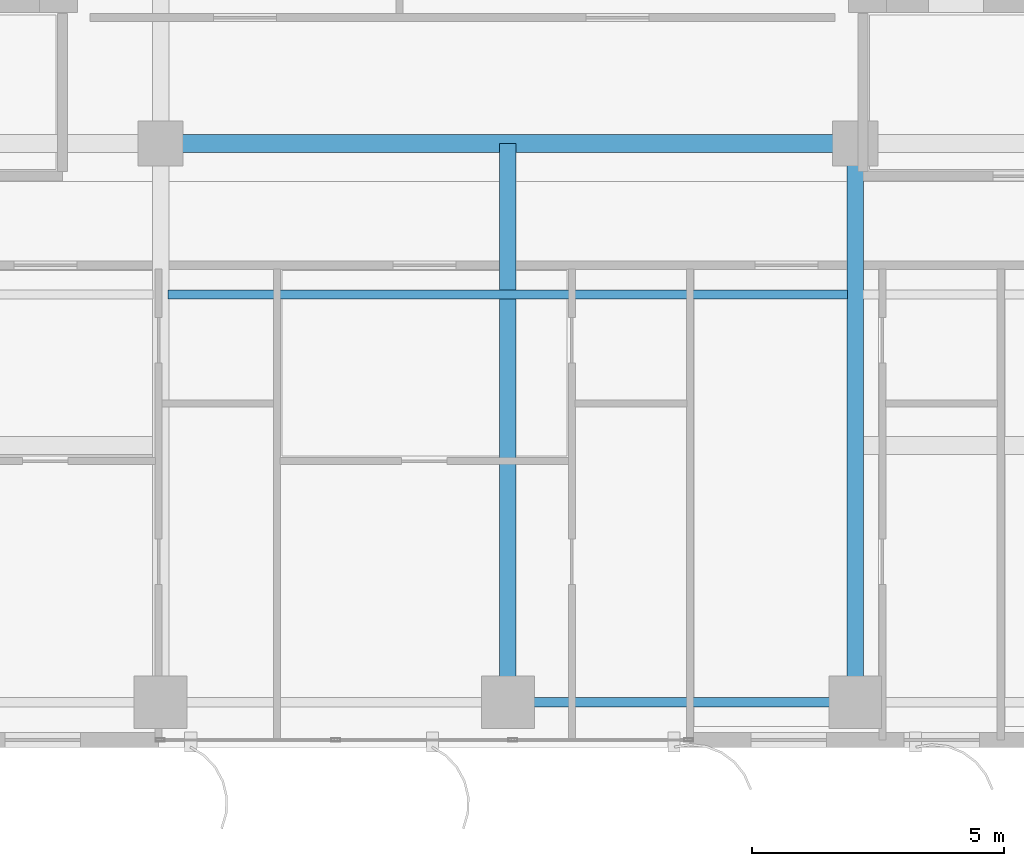
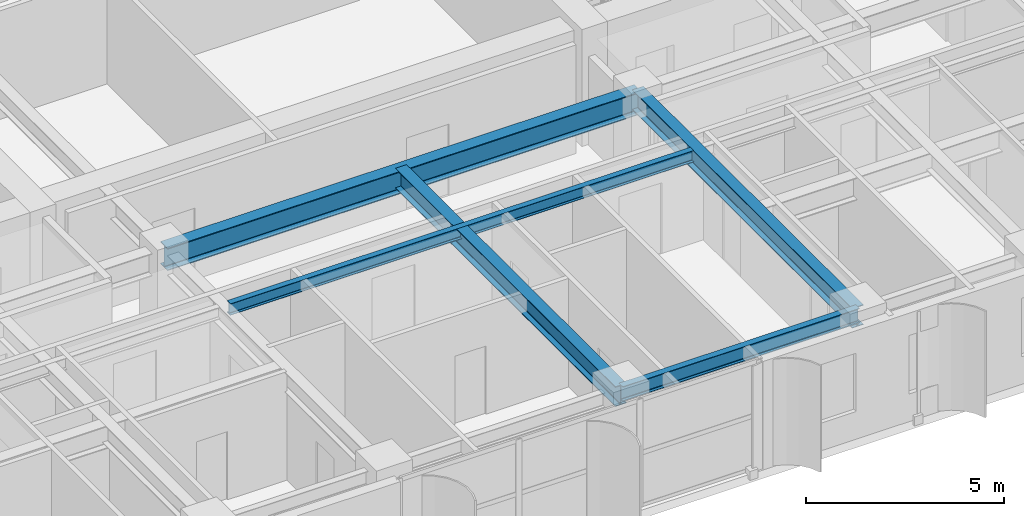
# One storey, part 3 of 22: 5 beams.
"""IFC4 building model written with IfcOpenShell, lengths in metres."""

from ifc_helpers import new_model, si_unit, direction, frame, origin, origin_2d, place, context, subcontext, project, spatial, i_section, extrude, source, transform, mapped, material, material_profile, profile_set, type_object, element, save


model = new_model("IFC4")

# Units and contexts
model_context = context("Model", 3, precision=1e-05, world=origin(), true_north=direction((0.0, 1.0)))
body_context = subcontext(model_context, "Body", "Model", "MODEL_VIEW")
ifc_project = project(units=[si_unit("LENGTHUNIT", "METRE"), si_unit("AREAUNIT", "SQUARE_METRE"), si_unit("VOLUMEUNIT", "CUBIC_METRE"), si_unit("PLANEANGLEUNIT", "RADIAN"), si_unit("MASSUNIT", "GRAM", prefix="KILO")], contexts=[model_context])

# Site, building, storey
site_placement = place(None, origin())
site = spatial("IfcSite", under=ifc_project, at=site_placement, CompositionType="ELEMENT")
building_placement = place(site_placement, origin())
building = spatial("IfcBuilding", under=site, at=building_placement, Name="Khoralis Quay Care Tower", CompositionType="ELEMENT")
storey_placement = place(building_placement, frame((0.0, 0.0, 94.5)))
storey = spatial("IfcBuildingStorey", under=building, at=storey_placement, Name="L24", CompositionType="ELEMENT", Elevation=94.5)

# Beams
ifc_material = material(Name="Steel S355", Category="steel")
ifc_material_profile_1 = material_profile(ifc_material, i_section(OverallWidth=0.18994140625, OverallDepth=0.449951171875, WebThickness=0.009521484375, FlangeThickness=0.0146484375, FilletRadius=0.02099609375, at=origin_2d()), Name="Steel S355")
ifc_profile_set_1 = profile_set([ifc_material_profile_1], Name="Steel S355")
beam_type_1 = type_object("IfcBeamType", Name="BM-IPE450", PredefinedType="SPANDREL", material=ifc_profile_set_1)
shared_shape_1 = source(origin(), body_context, "Body", "SweptSolid", [
    extrude(i_section(OverallWidth=0.18994140625, OverallDepth=0.449951171875, WebThickness=0.009521484375, FlangeThickness=0.0146484375, FilletRadius=0.02099609375, at=origin_2d()), origin(), (0.0, 0.0, 1.0), 6.89990234375),
])
beam_1_placement = place(storey_placement, frame((24.0, 0.89990234375, 3.114990234375), z_axis=(1.0, 0.0, 0.0), x_axis=(0.0, 1.0, 0.0)))
element("IfcBeam", 1, at=beam_1_placement, inside=storey, type_object=beam_type_1, Name="BM-TSP-L24-04", PredefinedType="SPANDREL", context=body_context, shape_type="MappedRepresentation", body=[
    mapped(shared_shape_1, transform((0.0, 0.0, 0.0), scale=1.0)),
])
ifc_material_profile_2 = material_profile(ifc_material, i_section(OverallWidth=0.35498046875, OverallDepth=0.695068359375, WebThickness=0.015380859375, FlangeThickness=0.02490234375, FilletRadius=0.02001953125, at=origin_2d()), Name="Steel S355")
ifc_profile_set_2 = profile_set([ifc_material_profile_2], Name="Steel S355")
beam_type_2 = type_object("IfcBeamType", Name="BM-W690X217", PredefinedType="BEAM", material=ifc_profile_set_2)
shared_shape_2 = source(origin(), body_context, "Body", "SweptSolid", [
    extrude(i_section(OverallWidth=0.35498046875, OverallDepth=0.695068359375, WebThickness=0.015380859375, FlangeThickness=0.02490234375, FilletRadius=0.02001953125, at=origin_2d()), origin(), (0.0, 0.0, 1.0), 13.7998046875),
])
beam_2_placement = place(storey_placement, frame((17.10009765625, 12.0, 2.992431640625), z_axis=(1.0, 0.0, 0.0), x_axis=(0.0, 1.0, 0.0)))
element("IfcBeam", 2, at=beam_2_placement, inside=storey, type_object=beam_type_2, Name="BM-TGCC-L24-120", PredefinedType="BEAM", context=body_context, shape_type="MappedRepresentation", body=[
    mapped(shared_shape_2, transform((0.0, 0.0, 0.0), scale=1.0)),
])
ifc_material_profile_3 = material_profile(ifc_material, i_section(OverallWidth=0.324951171875, OverallDepth=0.615966796875, WebThickness=0.013916015625, FlangeThickness=0.021484375, FilletRadius=0.01806640625, at=origin_2d()), Name="Steel S355")
ifc_profile_set_3 = profile_set([ifc_material_profile_3], Name="Steel S355")
beam_type_3 = type_object("IfcBeamType", Name="BM-W610X174", PredefinedType="BEAM", material=ifc_profile_set_3)
shared_shape_3 = source(origin(), body_context, "Body", "SweptSolid", [
    extrude(i_section(OverallWidth=0.324951171875, OverallDepth=0.615966796875, WebThickness=0.013916015625, FlangeThickness=0.021484375, FilletRadius=0.01806640625, at=origin_2d()), origin(), (0.0, 0.0, 1.0), 11.10009765625),
])
for number, where, z_axis, x_axis, name in (
    (3, (24.0, 0.89990234375, 3.031982421875), (0.0, 1.0, 0.0), (-1.0, 0.0, 0.0), "BM-TGYS-L24-240"),
    (4, (30.89990234375, 0.89990234375, 3.031982421875), (0.0, 1.0, 0.0), (-1.0, 0.0, 0.0), "BM-TGYS-L24-309"),
):
    element("IfcBeam", number, at=place(storey_placement, frame(where, z_axis=z_axis, x_axis=x_axis)), inside=storey, type_object=beam_type_3, Name=name, PredefinedType="BEAM", context=body_context, shape_type="MappedRepresentation", body=[
        mapped(shared_shape_3, transform((0.0, 0.0, 0.0), scale=1.0)),
    ])
ifc_material_profile_4 = material_profile(ifc_material, i_section(OverallWidth=0.1708984375, OverallDepth=0.35498046875, WebThickness=0.007080078125, FlangeThickness=0.01171875, FilletRadius=0.012939453125, at=origin_2d()), Name="Steel S355")
ifc_profile_set_4 = profile_set([ifc_material_profile_4], Name="Steel S355")
beam_type_4 = type_object("IfcBeamType", Name="BM-W360X51", PredefinedType="JOIST", material=ifc_profile_set_4)
shared_shape_4 = source(origin(), body_context, "Body", "SweptSolid", [
    extrude(i_section(OverallWidth=0.1708984375, OverallDepth=0.35498046875, WebThickness=0.007080078125, FlangeThickness=0.01171875, FilletRadius=0.012939453125, at=origin_2d()), origin(), (0.0, 0.0, 1.0), 13.4990234375),
])
beam_3_placement = place(storey_placement, frame((17.25048828125, 9.0, 3.16259765625), z_axis=(1.0, 0.0, 0.0), x_axis=(0.0, 1.0, 0.0)))
element("IfcBeam", 5, at=beam_3_placement, inside=storey, type_object=beam_type_4, Name="BM-TJS-L24-27", PredefinedType="JOIST", context=body_context, shape_type="MappedRepresentation", body=[
    mapped(shared_shape_4, transform((0.0, 0.0, 0.0), scale=1.0)),
])

save(model, "model.ifc")
